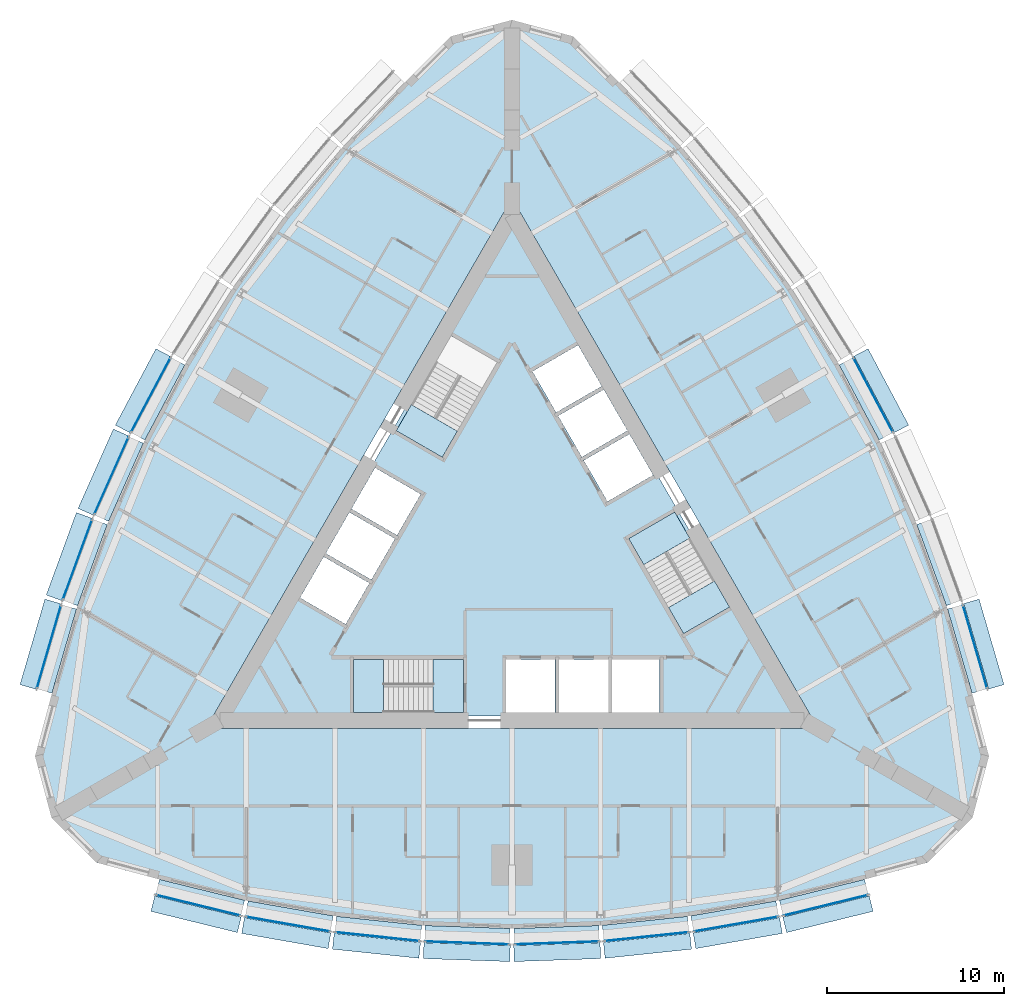
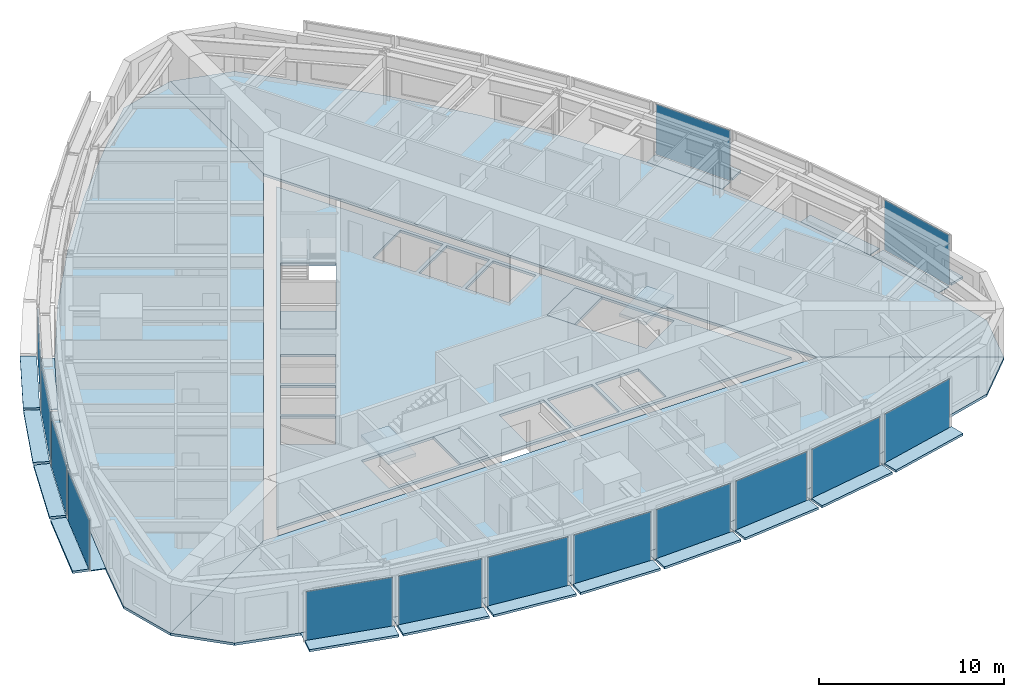
# One storey, part 6 of 14: 43 plates, 9 slabs, 17 elements without a shape of their own.
"""IFC4 building model written with IfcOpenShell, lengths in metres."""

from ifc_helpers import new_model, si_unit, direction, frame, origin, origin_2d, place, context, subcontext, project, spatial, polyline, rectangle, outline, extrude, material, layer, layer_set, type_object, element, aggregate, save


model = new_model("IFC4")

# Units and contexts
model_context = context("Model", 3, precision=1e-05, world=origin(), true_north=direction((0.0, 1.0)))
body_context = subcontext(model_context, "Body", "Model", "MODEL_VIEW")
ifc_project = project(units=[si_unit("LENGTHUNIT", "METRE"), si_unit("AREAUNIT", "SQUARE_METRE"), si_unit("VOLUMEUNIT", "CUBIC_METRE"), si_unit("PLANEANGLEUNIT", "RADIAN"), si_unit("MASSUNIT", "GRAM", prefix="KILO")], contexts=[model_context])

# Site, building, storey
site_placement = place(None, origin())
site = spatial("IfcSite", under=ifc_project, at=site_placement, CompositionType="ELEMENT")
building_placement = place(site_placement, origin())
building = spatial("IfcBuilding", under=site, at=building_placement, Name="Trikona Tower", CompositionType="ELEMENT")
storey_placement = place(building_placement, frame((0.0, 0.0, 172.5)))
storey = spatial("IfcBuildingStorey", under=building, at=storey_placement, Name="L46", CompositionType="ELEMENT", Elevation=172.5)

# Plates
ifc_material_1 = material(Name="Aluminium bar grating", Category="aluminium")
ifc_layer_1 = layer(ifc_material_1, 0.050048828125)
ifc_layer_set_1 = layer_set([ifc_layer_1], Name="Cavity catwalk grating")
plate_type_1 = type_object("IfcPlateType", Name="Cavity catwalk grating", PredefinedType="USERDEFINED", material=ifc_layer_set_1)
plate_1_placement = place(storey_placement, frame((-17.598876953125, -19.49072265625, -0.0498046875), z_axis=(0.0, 0.0, 1.0), x_axis=(0.971274411564, -0.237962218516, 0.0)))
element("IfcPlate", 1, at=plate_1_placement, inside=storey, type_object=plate_type_1, Name="Cavity catwalk L46-00", ObjectType="CATWALK GRATING", PredefinedType="USERDEFINED", context=body_context, shape_type="SweptSolid", body=[
    extrude(rectangle(XDim=4.947998046875, YDim=0.830078125, at=origin_2d()), origin(), (0.0, 0.0, 1.0), 0.050048828125),
])
plate_2_placement = place(storey_placement, frame((-12.571533203125, -20.54638671875, -0.0498046875), z_axis=(0.0, 0.0, 1.0), x_axis=(0.985030604067, -0.172379549401, 0.0)))
element("IfcPlate", 2, at=plate_2_placement, inside=storey, type_object=plate_type_1, Name="Cavity catwalk L46-01", ObjectType="CATWALK GRATING", PredefinedType="USERDEFINED", context=body_context, shape_type="SweptSolid", body=[
    extrude(rectangle(XDim=4.8759765625, YDim=0.830078125, at=origin_2d()), origin(), (0.0, 0.0, 1.0), 0.050048828125),
])
plate_3_placement = place(storey_placement, frame((-7.543212890625, -21.25048828125, -0.0498046875), z_axis=(0.0, 0.0, 1.0), x_axis=(0.994532653854, -0.104426052392, 0.0)))
element("IfcPlate", 3, at=plate_3_placement, inside=storey, type_object=plate_type_1, Name="Cavity catwalk L46-02", ObjectType="CATWALK GRATING", PredefinedType="USERDEFINED", context=body_context, shape_type="SweptSolid", body=[
    extrude(rectangle(XDim=4.827392578125, YDim=0.830078125, at=origin_2d()), origin(), (0.0, 0.0, 1.0), 0.050048828125),
])
for number, where, z_axis, x_axis, name in (
    (4, (-2.514404296875, -21.602294921875, -0.0498046875), (0.0, 0.0, 1.0), (0.999388082937, -0.034977988567, 0.0), "Cavity catwalk L46-03"),
    (5, (2.514404296875, -21.602294921875, -0.0498046875), (0.0, 0.0, 1.0), (0.999388082937, 0.034977988567, 0.0), "Cavity catwalk L46-04"),
):
    element("IfcPlate", number, at=place(storey_placement, frame(where, z_axis=z_axis, x_axis=x_axis)), inside=storey, type_object=plate_type_1, Name=name, ObjectType="CATWALK GRATING", PredefinedType="USERDEFINED", context=body_context, shape_type="SweptSolid", body=[
        extrude(rectangle(XDim=4.802978515625, YDim=0.830078125, at=origin_2d()), origin(), (0.0, 0.0, 1.0), 0.050048828125),
    ])
plate_4_placement = place(storey_placement, frame((7.543212890625, -21.25048828125, -0.0498046875), z_axis=(0.0, 0.0, 1.0), x_axis=(0.994532653854, 0.104426052392, 0.0)))
element("IfcPlate", 6, at=plate_4_placement, inside=storey, type_object=plate_type_1, Name="Cavity catwalk L46-05", ObjectType="CATWALK GRATING", PredefinedType="USERDEFINED", context=body_context, shape_type="SweptSolid", body=[
    extrude(rectangle(XDim=4.827392578125, YDim=0.830078125, at=origin_2d()), origin(), (0.0, 0.0, 1.0), 0.050048828125),
])
plate_5_placement = place(storey_placement, frame((12.571533203125, -20.54638671875, -0.0498046875), z_axis=(0.0, 0.0, 1.0), x_axis=(0.985030604067, 0.172379549401, 0.0)))
element("IfcPlate", 7, at=plate_5_placement, inside=storey, type_object=plate_type_1, Name="Cavity catwalk L46-06", ObjectType="CATWALK GRATING", PredefinedType="USERDEFINED", context=body_context, shape_type="SweptSolid", body=[
    extrude(rectangle(XDim=4.8759765625, YDim=0.830078125, at=origin_2d()), origin(), (0.0, 0.0, 1.0), 0.050048828125),
])
plate_6_placement = place(storey_placement, frame((17.598876953125, -19.49072265625, -0.0498046875), z_axis=(0.0, 0.0, 1.0), x_axis=(0.971274411564, 0.237962218516, 0.0)))
element("IfcPlate", 8, at=plate_6_placement, inside=storey, type_object=plate_type_1, Name="Cavity catwalk L46-07", ObjectType="CATWALK GRATING", PredefinedType="USERDEFINED", context=body_context, shape_type="SweptSolid", body=[
    extrude(rectangle(XDim=4.947998046875, YDim=0.830078125, at=origin_2d()), origin(), (0.0, 0.0, 1.0), 0.050048828125),
])
plate_7_placement = place(storey_placement, frame((25.678955078125, -5.49560546875, -0.0498046875), z_axis=(0.0, 0.0, 1.0), x_axis=(-0.279554203664, 0.960129911634, 0.0)))
element("IfcPlate", 9, at=plate_7_placement, inside=storey, type_object=plate_type_1, Name="Cavity catwalk L46-12", ObjectType="CATWALK GRATING", PredefinedType="USERDEFINED", context=body_context, shape_type="SweptSolid", body=[
    extrude(rectangle(XDim=4.94775390625, YDim=0.830078125, at=origin_2d()), origin(), (0.0, 0.0, 1.0), 0.050048828125),
])
plate_8_placement = place(storey_placement, frame((24.07958984375, -0.614013671875, -0.0498046875), z_axis=(0.0, 0.0, 1.0), x_axis=(-0.343220397324, 0.939254895575, 0.0)))
element("IfcPlate", 10, at=plate_8_placement, inside=storey, type_object=plate_type_1, Name="Cavity catwalk L46-13", ObjectType="CATWALK GRATING", PredefinedType="USERDEFINED", context=body_context, shape_type="SweptSolid", body=[
    extrude(rectangle(XDim=4.8759765625, YDim=0.830078125, at=origin_2d()), origin(), (0.0, 0.0, 1.0), 0.050048828125),
])
for number, where, z_axis, x_axis, name in (
    (11, (19.965576171875, 8.62353515625, -0.0498046875), (0.0, 0.0, 1.0), (-0.469397591494, 0.882986920118, 0.0), "Cavity catwalk L46-15"),
    (12, (-19.965576171875, 8.62353515625, -0.0498046875), (0.0, 0.0, 1.0), (-0.469397591494, -0.882986920118, 0.0), "Cavity catwalk L46-28"),
):
    element("IfcPlate", number, at=place(storey_placement, frame(where, z_axis=z_axis, x_axis=x_axis)), inside=storey, type_object=plate_type_1, Name=name, ObjectType="CATWALK GRATING", PredefinedType="USERDEFINED", context=body_context, shape_type="SweptSolid", body=[
        extrude(rectangle(XDim=4.802978515625, YDim=0.830078125, at=origin_2d()), origin(), (0.0, 0.0, 1.0), 0.050048828125),
    ])
plate_9_placement = place(storey_placement, frame((-22.175048828125, 4.092529296875, -0.0498046875), z_axis=(0.0, 0.0, 1.0), x_axis=(-0.406843467615, -0.913497888809, 0.0)))
element("IfcPlate", 13, at=plate_9_placement, inside=storey, type_object=plate_type_1, Name="Cavity catwalk L46-29", ObjectType="CATWALK GRATING", PredefinedType="USERDEFINED", context=body_context, shape_type="SweptSolid", body=[
    extrude(rectangle(XDim=4.827392578125, YDim=0.830078125, at=origin_2d()), origin(), (0.0, 0.0, 1.0), 0.050048828125),
])
plate_10_placement = place(storey_placement, frame((-24.07958984375, -0.614013671875, -0.0498046875), z_axis=(0.0, 0.0, 1.0), x_axis=(-0.343220397324, -0.939254895575, 0.0)))
element("IfcPlate", 14, at=plate_10_placement, inside=storey, type_object=plate_type_1, Name="Cavity catwalk L46-30", ObjectType="CATWALK GRATING", PredefinedType="USERDEFINED", context=body_context, shape_type="SweptSolid", body=[
    extrude(rectangle(XDim=4.8759765625, YDim=0.830078125, at=origin_2d()), origin(), (0.0, 0.0, 1.0), 0.050048828125),
])
plate_11_placement = place(storey_placement, frame((-25.678955078125, -5.49560546875, -0.0498046875), z_axis=(0.0, 0.0, 1.0), x_axis=(-0.279554203664, -0.960129911634, 0.0)))
element("IfcPlate", 15, at=plate_11_placement, inside=storey, type_object=plate_type_1, Name="Cavity catwalk L46-31", ObjectType="CATWALK GRATING", PredefinedType="USERDEFINED", context=body_context, shape_type="SweptSolid", body=[
    extrude(rectangle(XDim=4.94775390625, YDim=0.830078125, at=origin_2d()), origin(), (0.0, 0.0, 1.0), 0.050048828125),
])

# Slabs
ifc_material_2 = material(Name="Concrete f'c 5000 psi lightweight on composite steel deck", Category="concrete")
ifc_layer_2 = layer(ifc_material_2, 0.1650390625)
ifc_layer_set_2 = layer_set([ifc_layer_2], Name="Composite floor slab 165")
slab_type_1 = type_object("IfcSlabType", Name="Composite floor slab 165", PredefinedType="FLOOR", material=ifc_layer_set_2)
slab_1_placement = place(storey_placement, frame((0.0, 0.0, -0.1650390625)))
element("IfcSlab", 16, at=slab_1_placement, inside=storey, type_object=slab_type_1, Name="Floor slab L46 core", PredefinedType="FLOOR", context=body_context, shape_type="SweptSolid", body=[
    extrude(outline(polyline([(-16.06689453125, -9.2763671875), (16.06689453125, -9.2763671875), (0.0, 18.552490234375), (-16.06689453125, -9.2763671875)]), holes=[polyline([(12.285400390625, -3.126220703125), (9.185302734375, 2.2431640625), (6.587158203125, 0.7431640625), (9.687255859375, -4.626220703125), (12.285400390625, -3.126220703125)]), polyline([(8.340087890625, -9.06640625), (8.340087890625, -6.086181640625), (5.659912109375, -6.086181640625), (5.659912109375, -9.06640625), (8.340087890625, -9.06640625)]), polyline([(5.390869140625, 2.835205078125), (7.9716796875, 4.3251953125), (6.631591796875, 6.646240234375), (4.05078125, 5.15625), (5.390869140625, 2.835205078125)]), polyline([(2.600830078125, 7.667724609375), (3.94091796875, 5.3466796875), (6.521484375, 6.8369140625), (5.181640625, 9.15771484375), (2.600830078125, 7.667724609375)]), polyline([(5.43994140625, -6.086181640625), (2.659912109375, -6.086181640625), (2.659912109375, -9.06640625), (5.43994140625, -9.06640625), (5.43994140625, -6.086181640625)]), polyline([(3.731689453125, 11.669189453125), (1.15087890625, 10.17919921875), (2.490966796875, 7.858154296875), (5.071533203125, 9.34814453125), (3.731689453125, 11.669189453125)]), polyline([(-0.340087890625, -6.086181640625), (-0.340087890625, -9.06640625), (2.43994140625, -9.06640625), (2.43994140625, -6.086181640625), (-0.340087890625, -6.086181640625)]), polyline([(-3.435302734375, 12.202392578125), (-6.535400390625, 6.8330078125), (-3.937255859375, 5.3330078125), (-0.837158203125, 10.702392578125), (-3.435302734375, 12.202392578125)]), polyline([(-8.949951171875, -9.076416015625), (-2.75, -9.076416015625), (-2.75, -6.076416015625), (-8.949951171875, -6.076416015625), (-8.949951171875, -9.076416015625)]), polyline([(-5.15087890625, 3.2509765625), (-7.731689453125, 4.740966796875), (-9.071533203125, 2.419921875), (-6.490966796875, 0.929931640625), (-5.15087890625, 3.2509765625)]), polyline([(-7.94091796875, -1.581298828125), (-6.600830078125, 0.739501953125), (-9.181640625, 2.2294921875), (-10.521484375, -0.09130859375), (-7.94091796875, -1.581298828125)]), polyline([(-11.9716796875, -2.602783203125), (-9.390869140625, -4.093017578125), (-8.05078125, -1.77197265625), (-10.631591796875, -0.281982421875), (-11.9716796875, -2.602783203125)])]), origin(), (0.0, 0.0, 1.0), 0.1650390625),
])
slab_2_placement = place(storey_placement, frame((0.0, 0.0, -0.1650390625)))
element("IfcSlab", 17, at=slab_2_placement, inside=storey, type_object=slab_type_1, Name="Floor slab L46 south", PredefinedType="FLOOR", context=body_context, shape_type="SweptSolid", body=[
    extrude(outline(polyline([(23.464111328125, -17.547119140625), (26.0, -15.010986328125), (17.279296875, -9.976318359375), (-17.279296875, -9.976318359375), (-26.0, -15.010986328125), (-23.464111328125, -17.547119140625), (-20.0, -18.47509765625), (-15.0, -19.7001953125), (-10.0, -20.5751953125), (-5.0, -21.10009765625), (0.0, -21.275146484375), (5.0, -21.10009765625), (10.0, -20.5751953125), (15.0, -19.7001953125), (20.0, -18.47509765625), (23.464111328125, -17.547119140625)])), origin(), (0.0, 0.0, 1.0), 0.1650390625),
])
slab_3_placement = place(storey_placement, frame((0.0, 0.0, -0.1650390625)))
element("IfcSlab", 18, at=slab_3_placement, inside=storey, type_object=slab_type_1, Name="Floor slab L46 north-east", PredefinedType="FLOOR", context=body_context, shape_type="SweptSolid", body=[
    extrude(outline(polyline([(3.464111328125, 29.093994140625), (0.0, 30.022216796875), (0.0, 19.95263671875), (17.279296875, -9.976318359375), (26.0, -15.010986328125), (26.92822265625, -11.547119140625), (26.0, -8.0830078125), (24.560791015625, -3.140380859375), (22.818603515625, 1.62744140625), (20.773193359375, 6.219970703125), (18.4248046875, 10.6376953125), (15.773193359375, 14.880126953125), (12.818603515625, 18.947998046875), (9.560791015625, 22.840576171875), (6.0, 26.55810546875), (3.464111328125, 29.093994140625)])), origin(), (0.0, 0.0, 1.0), 0.1650390625),
])
slab_4_placement = place(storey_placement, frame((0.0, 0.0, -0.1650390625)))
element("IfcSlab", 19, at=slab_4_placement, inside=storey, type_object=slab_type_1, Name="Floor slab L46 north-west", PredefinedType="FLOOR", context=body_context, shape_type="SweptSolid", body=[
    extrude(outline(polyline([(0.0, 19.95263671875), (0.0, 30.022216796875), (-3.464111328125, 29.093994140625), (-6.0, 26.55810546875), (-9.560791015625, 22.840576171875), (-12.818603515625, 18.947998046875), (-15.773193359375, 14.880126953125), (-18.4248046875, 10.6376953125), (-20.773193359375, 6.219970703125), (-22.818603515625, 1.62744140625), (-24.560791015625, -3.140380859375), (-26.0, -8.0830078125), (-26.92822265625, -11.547119140625), (-26.0, -15.010986328125), (-17.279296875, -9.976318359375), (0.0, 19.95263671875)])), origin(), (0.0, 0.0, 1.0), 0.1650390625),
])

# Curtain wall, plate
ifc_material_3 = material(Name="Aluminium curtain wall system", Category="aluminium")
curtain_wall_type = type_object("IfcCurtainWallType", Name="Curtain wall DS2", PredefinedType="NOTDEFINED", material=ifc_material_3)
curtain_wall_1_placement = place(storey_placement, origin())
curtain_wall_1 = element("IfcCurtainWall", 20, at=curtain_wall_1_placement, inside=storey, type_object=curtain_wall_type, Name="Curtain wall DS2 L46", PredefinedType="NOTDEFINED")
ifc_material_4 = material(Name="Laminated clear glass", Category="glass")
ifc_layer_3 = layer(ifc_material_4, 0.028076171875)
ifc_layer_set_3 = layer_set([ifc_layer_3], Name="Glass panel DS2")
plate_type_2 = type_object("IfcPlateType", Name="Glass panel DS2", PredefinedType="CURTAIN_PANEL", material=ifc_layer_set_3)
plate_12_placement = place(storey_placement, frame((-17.714111328125, -19.9619140625, 0.0), z_axis=(0.0, 0.0, 1.0), x_axis=(0.971272455026, -0.237970204243, 0.0)))
plate_12 = element("IfcPlate", 21, at=plate_12_placement, type_object=plate_type_2, Name="CW-DS2 panel 1.1", PredefinedType="CURTAIN_PANEL", context=body_context, shape_type="SweptSolid", body=[
    extrude(rectangle(XDim=4.867919921875, YDim=0.028076171875, at=origin_2d()), origin(), (0.0, 0.0, 1.0), 3.320068359375),
])
aggregate(curtain_wall_1, [plate_12])

curtain_wall_2_placement = place(storey_placement, origin())
curtain_wall_2 = element("IfcCurtainWall", 22, at=curtain_wall_2_placement, inside=storey, type_object=curtain_wall_type, Name="Curtain wall DS2 L46", PredefinedType="NOTDEFINED")
plate_13_placement = place(storey_placement, frame((-12.655029296875, -21.024169921875, 0.0), z_axis=(0.0, 0.0, 1.0), x_axis=(0.985030981074, -0.17237739505, 0.0)))
plate_13 = element("IfcPlate", 23, at=plate_13_placement, type_object=plate_type_2, Name="CW-DS2 panel 1.1", PredefinedType="CURTAIN_PANEL", context=body_context, shape_type="SweptSolid", body=[
    extrude(rectangle(XDim=4.7958984375, YDim=0.028076171875, at=origin_2d()), origin(), (0.0, 0.0, 1.0), 3.320068359375),
])
aggregate(curtain_wall_2, [plate_13])

curtain_wall_3_placement = place(storey_placement, origin())
curtain_wall_3 = element("IfcCurtainWall", 24, at=curtain_wall_3_placement, inside=storey, type_object=curtain_wall_type, Name="Curtain wall DS2 L46", PredefinedType="NOTDEFINED")
plate_14_placement = place(storey_placement, frame((-7.593994140625, -21.732666015625, 0.0), z_axis=(0.0, 0.0, 1.0), x_axis=(0.994531883654, -0.104433387357, 0.0)))
plate_14 = element("IfcPlate", 25, at=plate_14_placement, type_object=plate_type_2, Name="CW-DS2 panel 1.1", PredefinedType="CURTAIN_PANEL", context=body_context, shape_type="SweptSolid", body=[
    extrude(rectangle(XDim=4.747314453125, YDim=0.028076171875, at=origin_2d()), origin(), (0.0, 0.0, 1.0), 3.320068359375),
])
aggregate(curtain_wall_3, [plate_14])

curtain_wall_4_placement = place(storey_placement, origin())
curtain_wall_4 = element("IfcCurtainWall", 26, at=curtain_wall_4_placement, inside=storey, type_object=curtain_wall_type, Name="Curtain wall DS2 L46", PredefinedType="NOTDEFINED")
plate_15_placement = place(storey_placement, frame((-2.531494140625, -22.087158203125, 0.0), z_axis=(0.0, 0.0, 1.0), x_axis=(0.99938737114, -0.034998320052, 0.0)))
plate_15 = element("IfcPlate", 27, at=plate_15_placement, type_object=plate_type_2, Name="CW-DS2 panel 1.1", PredefinedType="CURTAIN_PANEL", context=body_context, shape_type="SweptSolid", body=[
    extrude(rectangle(XDim=4.72314453125, YDim=0.028076171875, at=origin_2d()), origin(), (0.0, 0.0, 1.0), 3.320068359375),
])
aggregate(curtain_wall_4, [plate_15])

curtain_wall_5_placement = place(storey_placement, origin())
curtain_wall_5 = element("IfcCurtainWall", 28, at=curtain_wall_5_placement, inside=storey, type_object=curtain_wall_type, Name="Curtain wall DS2 L46", PredefinedType="NOTDEFINED")
plate_16_placement = place(storey_placement, frame((2.531494140625, -22.087158203125, 0.0), z_axis=(0.0, 0.0, 1.0), x_axis=(0.99938737114, 0.034998320052, 0.0)))
plate_16 = element("IfcPlate", 29, at=plate_16_placement, type_object=plate_type_2, Name="CW-DS2 panel 1.1", PredefinedType="CURTAIN_PANEL", context=body_context, shape_type="SweptSolid", body=[
    extrude(rectangle(XDim=4.72314453125, YDim=0.028076171875, at=origin_2d()), origin(), (0.0, 0.0, 1.0), 3.320068359375),
])
aggregate(curtain_wall_5, [plate_16])

curtain_wall_6_placement = place(storey_placement, origin())
curtain_wall_6 = element("IfcCurtainWall", 30, at=curtain_wall_6_placement, inside=storey, type_object=curtain_wall_type, Name="Curtain wall DS2 L46", PredefinedType="NOTDEFINED")
plate_17_placement = place(storey_placement, frame((7.593994140625, -21.732666015625, 0.0), z_axis=(0.0, 0.0, 1.0), x_axis=(0.994531883654, 0.104433387357, 0.0)))
plate_17 = element("IfcPlate", 31, at=plate_17_placement, type_object=plate_type_2, Name="CW-DS2 panel 1.1", PredefinedType="CURTAIN_PANEL", context=body_context, shape_type="SweptSolid", body=[
    extrude(rectangle(XDim=4.747314453125, YDim=0.028076171875, at=origin_2d()), origin(), (0.0, 0.0, 1.0), 3.320068359375),
])
aggregate(curtain_wall_6, [plate_17])

curtain_wall_7_placement = place(storey_placement, origin())
curtain_wall_7 = element("IfcCurtainWall", 32, at=curtain_wall_7_placement, inside=storey, type_object=curtain_wall_type, Name="Curtain wall DS2 L46", PredefinedType="NOTDEFINED")
plate_18_placement = place(storey_placement, frame((12.655029296875, -21.024169921875, 0.0), z_axis=(0.0, 0.0, 1.0), x_axis=(0.985030981074, 0.17237739505, 0.0)))
plate_18 = element("IfcPlate", 33, at=plate_18_placement, type_object=plate_type_2, Name="CW-DS2 panel 1.1", PredefinedType="CURTAIN_PANEL", context=body_context, shape_type="SweptSolid", body=[
    extrude(rectangle(XDim=4.7958984375, YDim=0.028076171875, at=origin_2d()), origin(), (0.0, 0.0, 1.0), 3.320068359375),
])
aggregate(curtain_wall_7, [plate_18])

curtain_wall_8_placement = place(storey_placement, origin())
curtain_wall_8 = element("IfcCurtainWall", 34, at=curtain_wall_8_placement, inside=storey, type_object=curtain_wall_type, Name="Curtain wall DS2 L46", PredefinedType="NOTDEFINED")
plate_19_placement = place(storey_placement, frame((17.714111328125, -19.9619140625, 0.0), z_axis=(0.0, 0.0, 1.0), x_axis=(0.971272455026, 0.237970204243, 0.0)))
plate_19 = element("IfcPlate", 35, at=plate_19_placement, type_object=plate_type_2, Name="CW-DS2 panel 1.1", PredefinedType="CURTAIN_PANEL", context=body_context, shape_type="SweptSolid", body=[
    extrude(rectangle(XDim=4.867919921875, YDim=0.028076171875, at=origin_2d()), origin(), (0.0, 0.0, 1.0), 3.320068359375),
])
aggregate(curtain_wall_8, [plate_19])

curtain_wall_9_placement = place(storey_placement, origin())
curtain_wall_9 = element("IfcCurtainWall", 36, at=curtain_wall_9_placement, inside=storey, type_object=curtain_wall_type, Name="Curtain wall DS2 L46", PredefinedType="NOTDEFINED")
plate_20_placement = place(storey_placement, frame((26.14453125, -5.360107421875, 0.0), z_axis=(0.0, 0.0, 1.0), x_axis=(-0.279543247757, 0.96013310152, 0.0)))
plate_20 = element("IfcPlate", 37, at=plate_20_placement, type_object=plate_type_2, Name="CW-DS2 panel 1.1", PredefinedType="CURTAIN_PANEL", context=body_context, shape_type="SweptSolid", body=[
    extrude(rectangle(XDim=4.867919921875, YDim=0.028076171875, at=origin_2d()), origin(), (0.0, 0.0, 1.0), 3.320068359375),
])
aggregate(curtain_wall_9, [plate_20])

curtain_wall_10_placement = place(storey_placement, origin())
curtain_wall_10 = element("IfcCurtainWall", 38, at=curtain_wall_10_placement, inside=storey, type_object=curtain_wall_type, Name="Curtain wall DS2 L46", PredefinedType="NOTDEFINED")
plate_21_placement = place(storey_placement, frame((20.393798828125, 8.851318359375, 0.0), z_axis=(0.0, 0.0, 1.0), x_axis=(-0.469380308937, 0.882996107343, 0.0)))
plate_21 = element("IfcPlate", 39, at=plate_21_placement, type_object=plate_type_2, Name="CW-DS2 panel 1.1", PredefinedType="CURTAIN_PANEL", context=body_context, shape_type="SweptSolid", body=[
    extrude(rectangle(XDim=4.72314453125, YDim=0.028076171875, at=origin_2d()), origin(), (0.0, 0.0, 1.0), 3.320068359375),
])
aggregate(curtain_wall_10, [plate_21])

curtain_wall_11_placement = place(storey_placement, origin())
curtain_wall_11 = element("IfcCurtainWall", 40, at=curtain_wall_11_placement, inside=storey, type_object=curtain_wall_type, Name="Curtain wall DS2 L46", PredefinedType="NOTDEFINED")
plate_22_placement = place(storey_placement, frame((-20.393798828125, 8.851318359375, 0.0), z_axis=(0.0, 0.0, 1.0), x_axis=(-0.469380308937, -0.882996107343, 0.0)))
plate_22 = element("IfcPlate", 41, at=plate_22_placement, type_object=plate_type_2, Name="CW-DS2 panel 1.1", PredefinedType="CURTAIN_PANEL", context=body_context, shape_type="SweptSolid", body=[
    extrude(rectangle(XDim=4.72314453125, YDim=0.028076171875, at=origin_2d()), origin(), (0.0, 0.0, 1.0), 3.320068359375),
])
aggregate(curtain_wall_11, [plate_22])

curtain_wall_12_placement = place(storey_placement, origin())
curtain_wall_12 = element("IfcCurtainWall", 42, at=curtain_wall_12_placement, inside=storey, type_object=curtain_wall_type, Name="Curtain wall DS2 L46", PredefinedType="NOTDEFINED")
plate_23_placement = place(storey_placement, frame((-22.6181640625, 4.289794921875, 0.0), z_axis=(0.0, 0.0, 1.0), x_axis=(-0.406836013132, -0.913501208767, 0.0)))
plate_23 = element("IfcPlate", 43, at=plate_23_placement, type_object=plate_type_2, Name="CW-DS2 panel 1.1", PredefinedType="CURTAIN_PANEL", context=body_context, shape_type="SweptSolid", body=[
    extrude(rectangle(XDim=4.747314453125, YDim=0.028076171875, at=origin_2d()), origin(), (0.0, 0.0, 1.0), 3.320068359375),
])
aggregate(curtain_wall_12, [plate_23])

curtain_wall_13_placement = place(storey_placement, origin())
curtain_wall_13 = element("IfcCurtainWall", 44, at=curtain_wall_13_placement, inside=storey, type_object=curtain_wall_type, Name="Curtain wall DS2 L46", PredefinedType="NOTDEFINED")
plate_24_placement = place(storey_placement, frame((-24.53515625, -0.447509765625, 0.0), z_axis=(0.0, 0.0, 1.0), x_axis=(-0.343223420143, -0.939253790978, 0.0)))
plate_24 = element("IfcPlate", 45, at=plate_24_placement, type_object=plate_type_2, Name="CW-DS2 panel 1.1", PredefinedType="CURTAIN_PANEL", context=body_context, shape_type="SweptSolid", body=[
    extrude(rectangle(XDim=4.7958984375, YDim=0.028076171875, at=origin_2d()), origin(), (0.0, 0.0, 1.0), 3.320068359375),
])
aggregate(curtain_wall_13, [plate_24])

curtain_wall_14_placement = place(storey_placement, origin())
curtain_wall_14 = element("IfcCurtainWall", 46, at=curtain_wall_14_placement, inside=storey, type_object=curtain_wall_type, Name="Curtain wall DS2 L46", PredefinedType="NOTDEFINED")
plate_25_placement = place(storey_placement, frame((-26.14453125, -5.360107421875, 0.0), z_axis=(0.0, 0.0, 1.0), x_axis=(-0.279543247757, -0.96013310152, 0.0)))
plate_25 = element("IfcPlate", 47, at=plate_25_placement, type_object=plate_type_2, Name="CW-DS2 panel 1.1", PredefinedType="CURTAIN_PANEL", context=body_context, shape_type="SweptSolid", body=[
    extrude(rectangle(XDim=4.867919921875, YDim=0.028076171875, at=origin_2d()), origin(), (0.0, 0.0, 1.0), 3.320068359375),
])
aggregate(curtain_wall_14, [plate_25])

# Plates
ifc_material_5 = material(Name="Aluminium plate fin, pale anodised, on stainless steel outriggers", Category="steel")
ifc_layer_4 = layer(ifc_material_5, 0.14990234375)
ifc_layer_set_4 = layer_set([ifc_layer_4], Name="Outer skin fin 900")
plate_type_3 = type_object("IfcPlateType", Name="Outer skin fin 900", PredefinedType="USERDEFINED", material=ifc_layer_set_4)
plate_26_placement = place(storey_placement, frame((-17.837890625, -20.466796875, 0.0), z_axis=(0.0, 0.0, 1.0), x_axis=(0.971274411564, -0.237962218516, 0.0)))
element("IfcPlate", 48, at=plate_26_placement, inside=storey, type_object=plate_type_3, Name="Outer skin fin L46-00", ObjectType="FIN", PredefinedType="USERDEFINED", context=body_context, shape_type="SweptSolid", body=[
    extrude(rectangle(XDim=5.02783203125, YDim=0.89990234375, at=origin_2d()), origin(), (0.0, 0.0, 1.0), 0.14990234375),
])
plate_27_placement = place(storey_placement, frame((-12.744873046875, -21.536376953125, 0.0), z_axis=(0.0, 0.0, 1.0), x_axis=(0.985030604067, -0.172379549401, 0.0)))
element("IfcPlate", 49, at=plate_27_placement, inside=storey, type_object=plate_type_3, Name="Outer skin fin L46-01", ObjectType="FIN", PredefinedType="USERDEFINED", context=body_context, shape_type="SweptSolid", body=[
    extrude(rectangle(XDim=4.9560546875, YDim=0.89990234375, at=origin_2d()), origin(), (0.0, 0.0, 1.0), 0.14990234375),
])
plate_28_placement = place(storey_placement, frame((-7.648193359375, -22.25, 0.0), z_axis=(0.0, 0.0, 1.0), x_axis=(0.994532653854, -0.104426052392, 0.0)))
element("IfcPlate", 50, at=plate_28_placement, inside=storey, type_object=plate_type_3, Name="Outer skin fin L46-02", ObjectType="FIN", PredefinedType="USERDEFINED", context=body_context, shape_type="SweptSolid", body=[
    extrude(rectangle(XDim=4.907470703125, YDim=0.89990234375, at=origin_2d()), origin(), (0.0, 0.0, 1.0), 0.14990234375),
])
for number, where, z_axis, x_axis, name in (
    (51, (-2.5498046875, -22.606689453125, 0.0), (0.0, 0.0, 1.0), (0.999388082937, -0.034977988567, 0.0), "Outer skin fin L46-03"),
    (52, (2.5498046875, -22.606689453125, 0.0), (0.0, 0.0, 1.0), (0.999388082937, 0.034977988567, 0.0), "Outer skin fin L46-04"),
):
    element("IfcPlate", number, at=place(storey_placement, frame(where, z_axis=z_axis, x_axis=x_axis)), inside=storey, type_object=plate_type_3, Name=name, ObjectType="FIN", PredefinedType="USERDEFINED", context=body_context, shape_type="SweptSolid", body=[
        extrude(rectangle(XDim=4.883056640625, YDim=0.89990234375, at=origin_2d()), origin(), (0.0, 0.0, 1.0), 0.14990234375),
    ])
plate_29_placement = place(storey_placement, frame((7.648193359375, -22.25, 0.0), z_axis=(0.0, 0.0, 1.0), x_axis=(0.994532653854, 0.104426052392, 0.0)))
element("IfcPlate", 53, at=plate_29_placement, inside=storey, type_object=plate_type_3, Name="Outer skin fin L46-05", ObjectType="FIN", PredefinedType="USERDEFINED", context=body_context, shape_type="SweptSolid", body=[
    extrude(rectangle(XDim=4.907470703125, YDim=0.89990234375, at=origin_2d()), origin(), (0.0, 0.0, 1.0), 0.14990234375),
])
plate_30_placement = place(storey_placement, frame((12.744873046875, -21.536376953125, 0.0), z_axis=(0.0, 0.0, 1.0), x_axis=(0.985030604067, 0.172379549401, 0.0)))
element("IfcPlate", 54, at=plate_30_placement, inside=storey, type_object=plate_type_3, Name="Outer skin fin L46-06", ObjectType="FIN", PredefinedType="USERDEFINED", context=body_context, shape_type="SweptSolid", body=[
    extrude(rectangle(XDim=4.9560546875, YDim=0.89990234375, at=origin_2d()), origin(), (0.0, 0.0, 1.0), 0.14990234375),
])
for number, where, z_axis, x_axis, name in (
    (55, (17.837890625, -20.466796875, 0.0), (0.0, 0.0, 1.0), (0.971274411564, 0.237962218516, 0.0), "Outer skin fin L46-07"),
    (56, (26.643798828125, -5.214599609375, 0.0), (0.0, 0.0, 1.0), (-0.279554203664, 0.960129911634, 0.0), "Outer skin fin L46-12"),
):
    element("IfcPlate", number, at=place(storey_placement, frame(where, z_axis=z_axis, x_axis=x_axis)), inside=storey, type_object=plate_type_3, Name=name, ObjectType="FIN", PredefinedType="USERDEFINED", context=body_context, shape_type="SweptSolid", body=[
        extrude(rectangle(XDim=5.02783203125, YDim=0.89990234375, at=origin_2d()), origin(), (0.0, 0.0, 1.0), 0.14990234375),
    ])
for number, where, z_axis, x_axis, name in (
    (57, (20.852783203125, 9.09521484375, 0.0), (0.0, 0.0, 1.0), (-0.469397591494, 0.882986920118, 0.0), "Outer skin fin L46-15"),
    (58, (-20.852783203125, 9.09521484375, 0.0), (0.0, 0.0, 1.0), (-0.469397591494, -0.882986920118, 0.0), "Outer skin fin L46-28"),
):
    element("IfcPlate", number, at=place(storey_placement, frame(where, z_axis=z_axis, x_axis=x_axis)), inside=storey, type_object=plate_type_3, Name=name, ObjectType="FIN", PredefinedType="USERDEFINED", context=body_context, shape_type="SweptSolid", body=[
        extrude(rectangle(XDim=4.883056640625, YDim=0.89990234375, at=origin_2d()), origin(), (0.0, 0.0, 1.0), 0.14990234375),
    ])
plate_31_placement = place(storey_placement, frame((-23.09326171875, 4.50146484375, 0.0), z_axis=(0.0, 0.0, 1.0), x_axis=(-0.406843467615, -0.913497888809, 0.0)))
element("IfcPlate", 59, at=plate_31_placement, inside=storey, type_object=plate_type_3, Name="Outer skin fin L46-29", ObjectType="FIN", PredefinedType="USERDEFINED", context=body_context, shape_type="SweptSolid", body=[
    extrude(rectangle(XDim=4.907470703125, YDim=0.89990234375, at=origin_2d()), origin(), (0.0, 0.0, 1.0), 0.14990234375),
])
plate_32_placement = place(storey_placement, frame((-25.0234375, -0.26904296875, 0.0), z_axis=(0.0, 0.0, 1.0), x_axis=(-0.343220397324, -0.939254895575, 0.0)))
element("IfcPlate", 60, at=plate_32_placement, inside=storey, type_object=plate_type_3, Name="Outer skin fin L46-30", ObjectType="FIN", PredefinedType="USERDEFINED", context=body_context, shape_type="SweptSolid", body=[
    extrude(rectangle(XDim=4.9560546875, YDim=0.89990234375, at=origin_2d()), origin(), (0.0, 0.0, 1.0), 0.14990234375),
])
plate_33_placement = place(storey_placement, frame((-26.643798828125, -5.214599609375, 0.0), z_axis=(0.0, 0.0, 1.0), x_axis=(-0.279554203664, -0.960129911634, 0.0)))
element("IfcPlate", 61, at=plate_33_placement, inside=storey, type_object=plate_type_3, Name="Outer skin fin L46-31", ObjectType="FIN", PredefinedType="USERDEFINED", context=body_context, shape_type="SweptSolid", body=[
    extrude(rectangle(XDim=5.02783203125, YDim=0.89990234375, at=origin_2d()), origin(), (0.0, 0.0, 1.0), 0.14990234375),
])

# Stair, slabs
ifc_material_6 = material(Name="Concrete f'c 5000 psi", Category="concrete")
stair_type = type_object("IfcStairType", Name="Core stair", PredefinedType="HALF_TURN_STAIR", material=ifc_material_6)
stair_1_placement = place(storey_placement, origin())
stair_1 = element("IfcStair", 62, at=stair_1_placement, inside=storey, type_object=stair_type, Name="Stair A L46", PredefinedType="HALF_TURN_STAIR")
ifc_material_7 = material(Name="Concrete f'c 5000 psi", Category="concrete")
ifc_layer_5 = layer(ifc_material_7, 0.199951171875)
ifc_layer_set_5 = layer_set([ifc_layer_5], Name="Stair landing 200")
slab_type_2 = type_object("IfcSlabType", Name="Stair landing 200", PredefinedType="LANDING", material=ifc_layer_set_5)
slab_5_placement = place(storey_placement, frame((0.0, 0.0, -0.199951171875)))
slab_5 = element("IfcSlab", 63, at=slab_5_placement, type_object=slab_type_2, Name="ST-A landing 1", PredefinedType="LANDING", context=body_context, shape_type="SweptSolid", body=[
    extrude(outline(polyline([(-4.452880859375, -6.076416015625), (-2.75, -6.076416015625), (-2.75, -9.076416015625), (-4.452880859375, -9.076416015625), (-4.452880859375, -6.076416015625)])), origin(), (0.0, 0.0, 1.0), 0.199951171875),
])
slab_6_placement = place(storey_placement, frame((0.0, 0.0, 1.5)))
slab_6 = element("IfcSlab", 64, at=slab_6_placement, type_object=slab_type_2, Name="ST-A landing 2", PredefinedType="LANDING", context=body_context, shape_type="SweptSolid", body=[
    extrude(outline(polyline([(-8.949951171875, -6.076416015625), (-7.2470703125, -6.076416015625), (-7.2470703125, -9.076416015625), (-8.949951171875, -9.076416015625), (-8.949951171875, -6.076416015625)])), origin(), (0.0, 0.0, 1.0), 0.199951171875),
])
aggregate(stair_1, [slab_5, slab_6])

stair_2_placement = place(storey_placement, origin())
stair_2 = element("IfcStair", 65, at=stair_2_placement, inside=storey, type_object=stair_type, Name="Stair B L46", PredefinedType="HALF_TURN_STAIR")
slab_7_placement = place(storey_placement, frame((0.0, 0.0, -0.199951171875)))
slab_7 = element("IfcSlab", 66, at=slab_7_placement, type_object=slab_type_2, Name="ST-B landing 1", PredefinedType="LANDING", context=body_context, shape_type="SweptSolid", body=[
    extrude(outline(polyline([(7.438720703125, -0.731689453125), (6.587158203125, 0.7431640625), (9.185302734375, 2.2431640625), (10.036865234375, 0.768310546875), (7.438720703125, -0.731689453125)])), origin(), (0.0, 0.0, 1.0), 0.199951171875),
])
slab_8_placement = place(storey_placement, frame((0.0, 0.0, 1.5)))
slab_8 = element("IfcSlab", 67, at=slab_8_placement, type_object=slab_type_2, Name="ST-B landing 2", PredefinedType="LANDING", context=body_context, shape_type="SweptSolid", body=[
    extrude(outline(polyline([(9.687255859375, -4.626220703125), (8.835693359375, -3.1513671875), (11.433837890625, -1.6513671875), (12.285400390625, -3.126220703125), (9.687255859375, -4.626220703125)])), origin(), (0.0, 0.0, 1.0), 0.199951171875),
])
aggregate(stair_2, [slab_7, slab_8])

# Stair, slab
stair_3_placement = place(storey_placement, origin())
stair_3 = element("IfcStair", 68, at=stair_3_placement, inside=storey, type_object=stair_type, Name="Stair C L46", PredefinedType="HALF_TURN_STAIR")
slab_9_placement = place(storey_placement, frame((0.0, 0.0, -0.199951171875)))
slab_9 = element("IfcSlab", 69, at=slab_9_placement, type_object=slab_type_2, Name="ST-C landing 1", PredefinedType="LANDING", context=body_context, shape_type="SweptSolid", body=[
    extrude(outline(polyline([(-3.085693359375, 6.807861328125), (-3.937255859375, 5.3330078125), (-6.535400390625, 6.8330078125), (-5.683837890625, 8.307861328125), (-3.085693359375, 6.807861328125)])), origin(), (0.0, 0.0, 1.0), 0.199951171875),
])
aggregate(stair_3, [slab_9])

save(model, "model.ifc")
